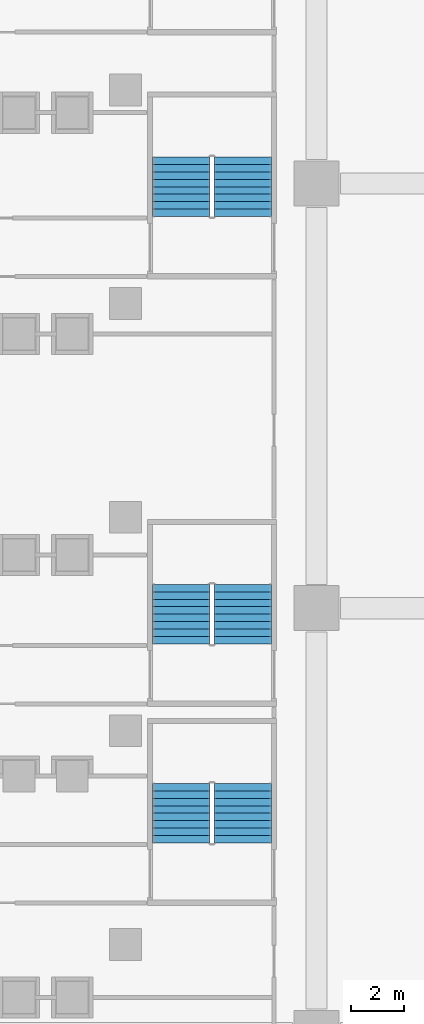
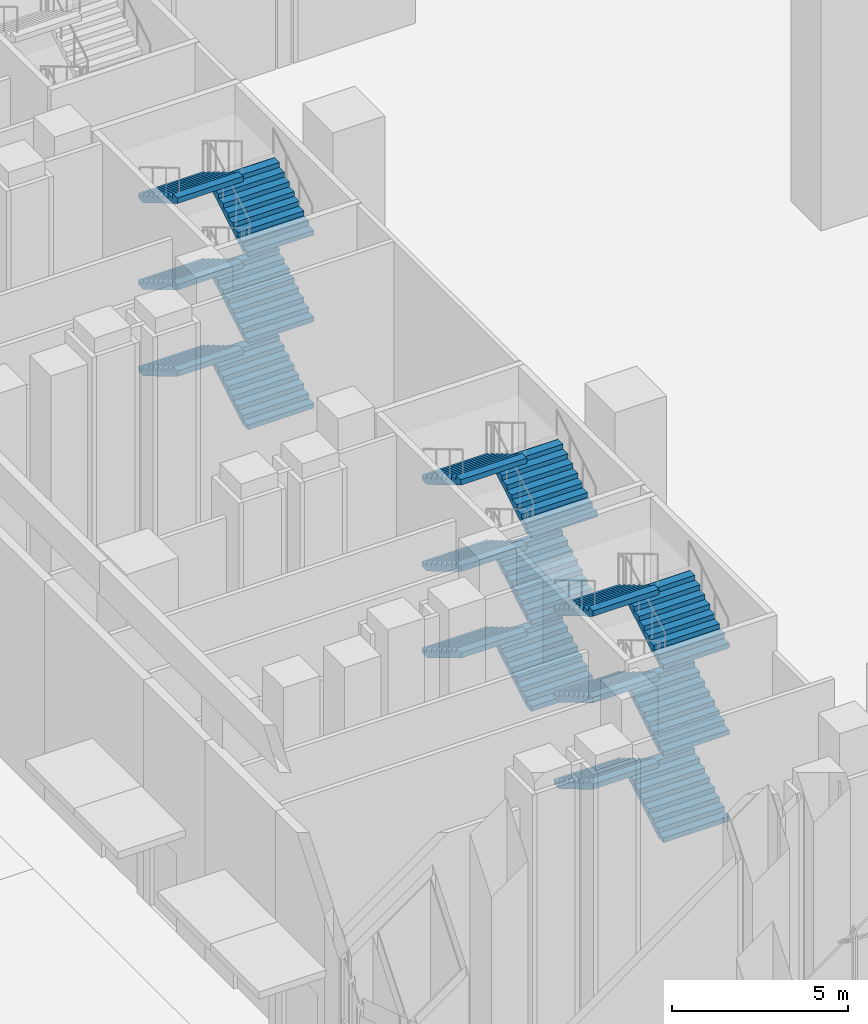
# One storey, part 30 of 51: 18 stair flights, 3 elements without a shape of their own.
"""IFC4 building model written with IfcOpenShell, lengths in metres."""

from ifc_helpers import new_model, si_unit, direction, frame, origin, place, context, subcontext, project, spatial, faceted_brep, source, transform, mapped, material, type_object, element, aggregate, save


model = new_model("IFC4")

# Units and contexts
model_context = context("Model", 3, precision=1e-05, world=origin(), true_north=direction((0.0, 1.0)))
body_context = subcontext(model_context, "Body", "Model", "MODEL_VIEW")
ifc_project = project(units=[si_unit("LENGTHUNIT", "METRE"), si_unit("AREAUNIT", "SQUARE_METRE"), si_unit("VOLUMEUNIT", "CUBIC_METRE"), si_unit("PLANEANGLEUNIT", "RADIAN"), si_unit("MASSUNIT", "GRAM", prefix="KILO")], contexts=[model_context])

# Site, building, storey
site_placement = place(None, origin())
site = spatial("IfcSite", under=ifc_project, at=site_placement, CompositionType="ELEMENT")
building_placement = place(site_placement, origin())
building = spatial("IfcBuilding", under=site, at=building_placement, Name="Calabash Gate Tower", CompositionType="ELEMENT")
storey_placement = place(building_placement, origin())
storey = spatial("IfcBuildingStorey", under=building, at=storey_placement, Name="L00", CompositionType="ELEMENT", Elevation=0.0)

# Stair, stair flights
ifc_material_1 = material(Name="Concrete C40/50", Category="concrete")
stair_type = type_object("IfcStairType", Name="Public stair 54 risers of 166.7 mm", PredefinedType="HALF_TURN_STAIR", material=ifc_material_1)
stair_1_placement = place(storey_placement, origin())
stair_1 = element("IfcStair", 1, at=stair_1_placement, inside=storey, type_object=stair_type, Name="L00 Public Stair PS1", PredefinedType="HALF_TURN_STAIR")
ifc_material_2 = material(Name="Concrete C40/50", Category="concrete")
stair_flight_type = type_object("IfcStairFlightType", Name="Exit stair flight SFL", PredefinedType="STRAIGHT", material=ifc_material_2)
shared_shape = source(origin(), body_context, "Body", "Brep", [
    faceted_brep([(-0.0009765625, -1.080078125, 0.0), (0.292236328125, -1.080078125, 0.0), (2.23291015625, -1.080078125, 1.15869140625), (-0.0009765625, 1.080078125, 0.0), (2.23291015625, 1.080078125, 1.15869140625), (0.292236328125, 1.080078125, 0.0), (2.23291015625, -1.080078125, 1.34521484375), (2.23193359375, -1.080078125, 1.34521484375), (2.23193359375, 1.080078125, 1.34521484375), (2.23291015625, 1.080078125, 1.34521484375), (2.23193359375, -1.080078125, 1.333251953125), (2.23193359375, 1.080078125, 1.333251953125), (1.952880859375, -1.080078125, 1.333251953125), (1.952880859375, 1.080078125, 1.333251953125), (1.952880859375, -1.080078125, 1.166748046875), (1.952880859375, 1.080078125, 1.166748046875), (1.674072265625, -1.080078125, 1.166748046875), (1.674072265625, 1.080078125, 1.166748046875), (1.674072265625, -1.080078125, 1.0), (1.674072265625, 1.080078125, 1.0), (1.39501953125, -1.080078125, 1.0), (1.39501953125, -1.080078125, 0.833251953125), (1.39501953125, 1.080078125, 0.833251953125), (1.39501953125, 1.080078125, 1.0), (1.115966796875, -1.080078125, 0.833251953125), (1.115966796875, -1.080078125, 0.666748046875), (1.115966796875, 1.080078125, 0.666748046875), (1.115966796875, 1.080078125, 0.833251953125), (0.8369140625, -1.080078125, 0.666748046875), (0.8369140625, -1.080078125, 0.5), (0.8369140625, 1.080078125, 0.5), (0.8369140625, 1.080078125, 0.666748046875), (0.55810546875, -1.080078125, 0.5), (0.55810546875, -1.080078125, 0.333251953125), (0.55810546875, 1.080078125, 0.333251953125), (0.55810546875, 1.080078125, 0.5), (0.279052734375, -1.080078125, 0.333251953125), (0.279052734375, -1.080078125, 0.166748046875), (0.279052734375, 1.080078125, 0.166748046875), (0.279052734375, 1.080078125, 0.333251953125), (-0.0009765625, -1.080078125, 0.166748046875), (-0.0009765625, 1.080078125, 0.166748046875), (0.292236328125, -0.431884765625, 0.0), (2.23291015625, -0.431884765625, 1.15869140625), (0.292236328125, -0.345703125, 0.0), (2.23291015625, -0.345703125, 1.15869140625), (0.292236328125, -0.25927734375, 0.0), (2.23291015625, -0.25927734375, 1.15869140625), (0.292236328125, -0.1728515625, 0.0), (2.23291015625, -0.1728515625, 1.15869140625), (0.292236328125, -0.08642578125, 0.0), (2.23291015625, -0.08642578125, 1.15869140625), (0.292236328125, 0.0, 0.0), (2.23291015625, 0.0, 1.15869140625), (0.292236328125, 0.08642578125, 0.0), (2.23291015625, 0.08642578125, 1.15869140625), (0.292236328125, 0.1728515625, 0.0), (2.23291015625, 0.1728515625, 1.15869140625), (0.292236328125, 0.25927734375, 0.0), (2.23291015625, 0.25927734375, 1.15869140625), (0.292236328125, 0.345703125, 0.0), (2.23291015625, 0.345703125, 1.15869140625), (0.292236328125, 0.431884765625, 0.0), (2.23291015625, 0.431884765625, 1.15869140625), (2.23291015625, -0.431884765625, 1.34521484375), (2.23291015625, -0.345703125, 1.34521484375), (2.23291015625, -0.25927734375, 1.34521484375), (2.23291015625, -0.1728515625, 1.34521484375), (2.23291015625, -0.08642578125, 1.34521484375), (2.23291015625, 0.0, 1.34521484375), (2.23291015625, 0.08642578125, 1.34521484375), (2.23291015625, 0.1728515625, 1.34521484375), (2.23291015625, 0.25927734375, 1.34521484375), (2.23291015625, 0.345703125, 1.34521484375), (2.23291015625, 0.431884765625, 1.34521484375), (2.23193359375, -0.431884765625, 1.34521484375), (2.23193359375, -0.345703125, 1.34521484375), (2.23193359375, -0.25927734375, 1.34521484375), (2.23193359375, -0.1728515625, 1.34521484375), (2.23193359375, -0.08642578125, 1.34521484375), (2.23193359375, 0.0, 1.34521484375), (2.23193359375, 0.08642578125, 1.34521484375), (2.23193359375, 0.1728515625, 1.34521484375), (2.23193359375, 0.25927734375, 1.34521484375), (2.23193359375, 0.345703125, 1.34521484375), (2.23193359375, 0.431884765625, 1.34521484375), (2.23193359375, -0.431884765625, 1.333251953125), (2.23193359375, -0.345703125, 1.333251953125), (2.23193359375, -0.25927734375, 1.333251953125), (2.23193359375, -0.1728515625, 1.333251953125), (2.23193359375, -0.08642578125, 1.333251953125), (2.23193359375, 0.0, 1.333251953125), (2.23193359375, 0.08642578125, 1.333251953125), (2.23193359375, 0.1728515625, 1.333251953125), (2.23193359375, 0.25927734375, 1.333251953125), (2.23193359375, 0.345703125, 1.333251953125), (2.23193359375, 0.431884765625, 1.333251953125), (1.952880859375, -0.431884765625, 1.333251953125), (1.952880859375, -0.345703125, 1.333251953125), (1.952880859375, -0.25927734375, 1.333251953125), (1.952880859375, -0.1728515625, 1.333251953125), (1.952880859375, -0.08642578125, 1.333251953125), (1.952880859375, 0.0, 1.333251953125), (1.952880859375, 0.08642578125, 1.333251953125), (1.952880859375, 0.1728515625, 1.333251953125), (1.952880859375, 0.25927734375, 1.333251953125), (1.952880859375, 0.345703125, 1.333251953125), (1.952880859375, 0.431884765625, 1.333251953125), (1.952880859375, -0.431884765625, 1.166748046875), (1.952880859375, -0.345703125, 1.166748046875), (1.952880859375, -0.25927734375, 1.166748046875), (1.952880859375, -0.1728515625, 1.166748046875), (1.952880859375, -0.08642578125, 1.166748046875), (1.952880859375, 0.0, 1.166748046875), (1.952880859375, 0.08642578125, 1.166748046875), (1.952880859375, 0.1728515625, 1.166748046875), (1.952880859375, 0.25927734375, 1.166748046875), (1.952880859375, 0.345703125, 1.166748046875), (1.952880859375, 0.431884765625, 1.166748046875), (1.674072265625, -0.431884765625, 1.166748046875), (1.674072265625, -0.345703125, 1.166748046875), (1.674072265625, -0.25927734375, 1.166748046875), (1.674072265625, -0.1728515625, 1.166748046875), (1.674072265625, -0.08642578125, 1.166748046875), (1.674072265625, 0.0, 1.166748046875), (1.674072265625, 0.08642578125, 1.166748046875), (1.674072265625, 0.1728515625, 1.166748046875), (1.674072265625, 0.25927734375, 1.166748046875), (1.674072265625, 0.345703125, 1.166748046875), (1.674072265625, 0.431884765625, 1.166748046875), (1.674072265625, -0.431884765625, 1.0), (1.674072265625, -0.345703125, 1.0), (1.674072265625, -0.25927734375, 1.0), (1.674072265625, -0.1728515625, 1.0), (1.674072265625, -0.08642578125, 1.0), (1.674072265625, 0.0, 1.0), (1.674072265625, 0.08642578125, 1.0), (1.674072265625, 0.1728515625, 1.0), (1.674072265625, 0.25927734375, 1.0), (1.674072265625, 0.345703125, 1.0), (1.674072265625, 0.431884765625, 1.0), (1.39501953125, -0.431884765625, 1.0), (1.39501953125, -0.345703125, 1.0), (1.39501953125, -0.25927734375, 1.0), (1.39501953125, -0.1728515625, 1.0), (1.39501953125, -0.08642578125, 1.0), (1.39501953125, 0.0, 1.0), (1.39501953125, 0.08642578125, 1.0), (1.39501953125, 0.1728515625, 1.0), (1.39501953125, 0.25927734375, 1.0), (1.39501953125, 0.345703125, 1.0), (1.39501953125, 0.431884765625, 1.0), (1.39501953125, -0.431884765625, 0.833251953125), (1.39501953125, -0.345703125, 0.833251953125), (1.39501953125, -0.25927734375, 0.833251953125), (1.39501953125, -0.1728515625, 0.833251953125), (1.39501953125, -0.08642578125, 0.833251953125), (1.39501953125, 0.0, 0.833251953125), (1.39501953125, 0.08642578125, 0.833251953125), (1.39501953125, 0.1728515625, 0.833251953125), (1.39501953125, 0.25927734375, 0.833251953125), (1.39501953125, 0.345703125, 0.833251953125), (1.39501953125, 0.431884765625, 0.833251953125), (1.115966796875, -0.431884765625, 0.833251953125), (1.115966796875, -0.345703125, 0.833251953125), (1.115966796875, -0.25927734375, 0.833251953125), (1.115966796875, -0.1728515625, 0.833251953125), (1.115966796875, -0.08642578125, 0.833251953125), (1.115966796875, 0.0, 0.833251953125), (1.115966796875, 0.08642578125, 0.833251953125), (1.115966796875, 0.1728515625, 0.833251953125), (1.115966796875, 0.25927734375, 0.833251953125), (1.115966796875, 0.345703125, 0.833251953125), (1.115966796875, 0.431884765625, 0.833251953125), (1.115966796875, -0.431884765625, 0.666748046875), (1.115966796875, -0.345703125, 0.666748046875), (1.115966796875, -0.25927734375, 0.666748046875), (1.115966796875, -0.1728515625, 0.666748046875), (1.115966796875, -0.08642578125, 0.666748046875), (1.115966796875, 0.0, 0.666748046875), (1.115966796875, 0.08642578125, 0.666748046875), (1.115966796875, 0.1728515625, 0.666748046875), (1.115966796875, 0.25927734375, 0.666748046875), (1.115966796875, 0.345703125, 0.666748046875), (1.115966796875, 0.431884765625, 0.666748046875), (0.8369140625, -0.431884765625, 0.666748046875), (0.8369140625, -0.345703125, 0.666748046875), (0.8369140625, -0.25927734375, 0.666748046875), (0.8369140625, -0.1728515625, 0.666748046875), (0.8369140625, -0.08642578125, 0.666748046875), (0.8369140625, 0.0, 0.666748046875), (0.8369140625, 0.08642578125, 0.666748046875), (0.8369140625, 0.1728515625, 0.666748046875), (0.8369140625, 0.25927734375, 0.666748046875), (0.8369140625, 0.345703125, 0.666748046875), (0.8369140625, 0.431884765625, 0.666748046875), (0.8369140625, -0.431884765625, 0.5), (0.8369140625, -0.345703125, 0.5), (0.8369140625, -0.25927734375, 0.5), (0.8369140625, -0.1728515625, 0.5), (0.8369140625, -0.08642578125, 0.5), (0.8369140625, 0.0, 0.5), (0.8369140625, 0.08642578125, 0.5), (0.8369140625, 0.1728515625, 0.5), (0.8369140625, 0.25927734375, 0.5), (0.8369140625, 0.345703125, 0.5), (0.8369140625, 0.431884765625, 0.5), (0.55810546875, -0.431884765625, 0.5), (0.55810546875, -0.345703125, 0.5), (0.55810546875, -0.25927734375, 0.5), (0.55810546875, -0.1728515625, 0.5), (0.55810546875, -0.08642578125, 0.5), (0.55810546875, 0.0, 0.5), (0.55810546875, 0.08642578125, 0.5), (0.55810546875, 0.1728515625, 0.5), (0.55810546875, 0.25927734375, 0.5), (0.55810546875, 0.345703125, 0.5), (0.55810546875, 0.431884765625, 0.5), (0.55810546875, -0.431884765625, 0.333251953125), (0.55810546875, -0.345703125, 0.333251953125), (0.55810546875, -0.25927734375, 0.333251953125), (0.55810546875, -0.1728515625, 0.333251953125), (0.55810546875, -0.08642578125, 0.333251953125), (0.55810546875, 0.0, 0.333251953125), (0.55810546875, 0.08642578125, 0.333251953125), (0.55810546875, 0.1728515625, 0.333251953125), (0.55810546875, 0.25927734375, 0.333251953125), (0.55810546875, 0.345703125, 0.333251953125), (0.55810546875, 0.431884765625, 0.333251953125), (0.279052734375, -0.431884765625, 0.333251953125), (0.279052734375, -0.345703125, 0.333251953125), (0.279052734375, -0.25927734375, 0.333251953125), (0.279052734375, -0.1728515625, 0.333251953125), (0.279052734375, -0.08642578125, 0.333251953125), (0.279052734375, 0.0, 0.333251953125), (0.279052734375, 0.08642578125, 0.333251953125), (0.279052734375, 0.1728515625, 0.333251953125), (0.279052734375, 0.25927734375, 0.333251953125), (0.279052734375, 0.345703125, 0.333251953125), (0.279052734375, 0.431884765625, 0.333251953125), (0.279052734375, -0.431884765625, 0.166748046875), (0.279052734375, -0.345703125, 0.166748046875), (0.279052734375, -0.25927734375, 0.166748046875), (0.279052734375, -0.1728515625, 0.166748046875), (0.279052734375, -0.08642578125, 0.166748046875), (0.279052734375, 0.0, 0.166748046875), (0.279052734375, 0.08642578125, 0.166748046875), (0.279052734375, 0.1728515625, 0.166748046875), (0.279052734375, 0.25927734375, 0.166748046875), (0.279052734375, 0.345703125, 0.166748046875), (0.279052734375, 0.431884765625, 0.166748046875), (-0.0009765625, -0.431884765625, 0.166748046875), (-0.0009765625, -0.345703125, 0.166748046875), (-0.0009765625, -0.25927734375, 0.166748046875), (-0.0009765625, -0.1728515625, 0.166748046875), (-0.0009765625, -0.08642578125, 0.166748046875), (-0.0009765625, 0.0, 0.166748046875), (-0.0009765625, 0.08642578125, 0.166748046875), (-0.0009765625, 0.1728515625, 0.166748046875), (-0.0009765625, 0.25927734375, 0.166748046875), (-0.0009765625, 0.345703125, 0.166748046875), (-0.0009765625, 0.431884765625, 0.166748046875), (-0.0009765625, -0.431884765625, 0.0), (-0.0009765625, -0.345703125, 0.0), (-0.0009765625, -0.25927734375, 0.0), (-0.0009765625, -0.1728515625, 0.0), (-0.0009765625, -0.08642578125, 0.0), (-0.0009765625, 0.0, 0.0), (-0.0009765625, 0.08642578125, 0.0), (-0.0009765625, 0.1728515625, 0.0), (-0.0009765625, 0.25927734375, 0.0), (-0.0009765625, 0.345703125, 0.0), (-0.0009765625, 0.431884765625, 0.0)], [[[0, 1, 2]], [[3, 4, 5]], [[2, 6, 7]], [[4, 8, 9]], [[2, 7, 10]], [[4, 11, 8]], [[2, 10, 12]], [[4, 13, 11]], [[2, 12, 14]], [[4, 15, 13]], [[2, 14, 16]], [[4, 17, 15]], [[2, 16, 18]], [[4, 19, 17]], [[18, 20, 21]], [[19, 22, 23]], [[2, 18, 21]], [[4, 22, 19]], [[21, 24, 25]], [[22, 26, 27]], [[2, 21, 25]], [[4, 26, 22]], [[25, 28, 29]], [[26, 30, 31]], [[2, 25, 29]], [[4, 30, 26]], [[29, 32, 33]], [[30, 34, 35]], [[2, 29, 33]], [[4, 34, 30]], [[33, 36, 37]], [[34, 38, 39]], [[2, 33, 37]], [[4, 38, 34]], [[0, 2, 37]], [[3, 38, 4]], [[37, 40, 0]], [[38, 3, 41]], [[1, 42, 2]], [[42, 43, 2]], [[42, 44, 43]], [[44, 45, 43]], [[44, 46, 45]], [[46, 47, 45]], [[46, 48, 47]], [[48, 49, 47]], [[48, 50, 49]], [[50, 51, 49]], [[50, 52, 51]], [[52, 53, 51]], [[52, 54, 55]], [[52, 55, 53]], [[54, 56, 57]], [[54, 57, 55]], [[56, 58, 59]], [[56, 59, 57]], [[58, 60, 61]], [[58, 61, 59]], [[60, 62, 63]], [[60, 63, 61]], [[62, 5, 4]], [[62, 4, 63]], [[2, 43, 6]], [[43, 64, 6]], [[43, 45, 64]], [[45, 65, 64]], [[45, 47, 65]], [[47, 66, 65]], [[47, 49, 66]], [[49, 67, 66]], [[49, 51, 67]], [[51, 68, 67]], [[51, 53, 68]], [[53, 69, 68]], [[53, 55, 70]], [[53, 70, 69]], [[55, 57, 71]], [[55, 71, 70]], [[57, 59, 72]], [[57, 72, 71]], [[59, 61, 73]], [[59, 73, 72]], [[61, 63, 74]], [[61, 74, 73]], [[63, 4, 9]], [[63, 9, 74]], [[6, 64, 7]], [[64, 75, 7]], [[64, 65, 75]], [[65, 76, 75]], [[65, 66, 76]], [[66, 77, 76]], [[66, 67, 77]], [[67, 78, 77]], [[67, 68, 78]], [[68, 79, 78]], [[68, 69, 79]], [[69, 80, 79]], [[69, 70, 81]], [[69, 81, 80]], [[70, 71, 82]], [[70, 82, 81]], [[71, 72, 83]], [[71, 83, 82]], [[72, 73, 84]], [[72, 84, 83]], [[73, 74, 85]], [[73, 85, 84]], [[74, 9, 8]], [[74, 8, 85]], [[7, 75, 10]], [[75, 86, 10]], [[75, 76, 86]], [[76, 87, 86]], [[76, 77, 87]], [[77, 88, 87]], [[77, 78, 88]], [[78, 89, 88]], [[78, 79, 89]], [[79, 90, 89]], [[79, 80, 90]], [[80, 91, 90]], [[80, 81, 92]], [[80, 92, 91]], [[81, 82, 93]], [[81, 93, 92]], [[82, 83, 94]], [[82, 94, 93]], [[83, 84, 95]], [[83, 95, 94]], [[84, 85, 96]], [[84, 96, 95]], [[85, 8, 11]], [[85, 11, 96]], [[10, 86, 12]], [[86, 97, 12]], [[86, 87, 97]], [[87, 98, 97]], [[87, 88, 98]], [[88, 99, 98]], [[88, 89, 99]], [[89, 100, 99]], [[89, 90, 100]], [[90, 101, 100]], [[90, 91, 101]], [[91, 102, 101]], [[91, 92, 103]], [[91, 103, 102]], [[92, 93, 104]], [[92, 104, 103]], [[93, 94, 105]], [[93, 105, 104]], [[94, 95, 106]], [[94, 106, 105]], [[95, 96, 107]], [[95, 107, 106]], [[96, 11, 13]], [[96, 13, 107]], [[12, 97, 14]], [[97, 108, 14]], [[97, 98, 108]], [[98, 109, 108]], [[98, 99, 109]], [[99, 110, 109]], [[99, 100, 110]], [[100, 111, 110]], [[100, 101, 111]], [[101, 112, 111]], [[101, 102, 112]], [[102, 113, 112]], [[102, 103, 114]], [[102, 114, 113]], [[103, 104, 115]], [[103, 115, 114]], [[104, 105, 116]], [[104, 116, 115]], [[105, 106, 117]], [[105, 117, 116]], [[106, 107, 118]], [[106, 118, 117]], [[107, 13, 15]], [[107, 15, 118]], [[14, 108, 16]], [[108, 119, 16]], [[108, 109, 119]], [[109, 120, 119]], [[109, 110, 120]], [[110, 121, 120]], [[110, 111, 121]], [[111, 122, 121]], [[111, 112, 122]], [[112, 123, 122]], [[112, 113, 123]], [[113, 124, 123]], [[113, 114, 125]], [[113, 125, 124]], [[114, 115, 126]], [[114, 126, 125]], [[115, 116, 127]], [[115, 127, 126]], [[116, 117, 128]], [[116, 128, 127]], [[117, 118, 129]], [[117, 129, 128]], [[118, 15, 17]], [[118, 17, 129]], [[16, 119, 18]], [[119, 130, 18]], [[119, 120, 130]], [[120, 131, 130]], [[120, 121, 131]], [[121, 132, 131]], [[121, 122, 132]], [[122, 133, 132]], [[122, 123, 133]], [[123, 134, 133]], [[123, 124, 134]], [[124, 135, 134]], [[124, 125, 136]], [[124, 136, 135]], [[125, 126, 137]], [[125, 137, 136]], [[126, 127, 138]], [[126, 138, 137]], [[127, 128, 139]], [[127, 139, 138]], [[128, 129, 140]], [[128, 140, 139]], [[129, 17, 19]], [[129, 19, 140]], [[18, 130, 20]], [[130, 141, 20]], [[130, 131, 141]], [[131, 142, 141]], [[131, 132, 142]], [[132, 143, 142]], [[132, 133, 143]], [[133, 144, 143]], [[133, 134, 144]], [[134, 145, 144]], [[134, 135, 145]], [[135, 146, 145]], [[135, 136, 147]], [[135, 147, 146]], [[136, 137, 148]], [[136, 148, 147]], [[137, 138, 149]], [[137, 149, 148]], [[138, 139, 150]], [[138, 150, 149]], [[139, 140, 151]], [[139, 151, 150]], [[140, 19, 23]], [[140, 23, 151]], [[20, 141, 21]], [[141, 152, 21]], [[141, 142, 152]], [[142, 153, 152]], [[142, 143, 153]], [[143, 154, 153]], [[143, 144, 154]], [[144, 155, 154]], [[144, 145, 155]], [[145, 156, 155]], [[145, 146, 156]], [[146, 157, 156]], [[146, 147, 158]], [[146, 158, 157]], [[147, 148, 159]], [[147, 159, 158]], [[148, 149, 160]], [[148, 160, 159]], [[149, 150, 161]], [[149, 161, 160]], [[150, 151, 162]], [[150, 162, 161]], [[151, 23, 22]], [[151, 22, 162]], [[21, 152, 24]], [[152, 163, 24]], [[152, 153, 163]], [[153, 164, 163]], [[153, 154, 164]], [[154, 165, 164]], [[154, 155, 165]], [[155, 166, 165]], [[155, 156, 166]], [[156, 167, 166]], [[156, 157, 167]], [[157, 168, 167]], [[157, 158, 169]], [[157, 169, 168]], [[158, 159, 170]], [[158, 170, 169]], [[159, 160, 171]], [[159, 171, 170]], [[160, 161, 172]], [[160, 172, 171]], [[161, 162, 173]], [[161, 173, 172]], [[162, 22, 27]], [[162, 27, 173]], [[24, 163, 25]], [[163, 174, 25]], [[163, 164, 174]], [[164, 175, 174]], [[164, 165, 175]], [[165, 176, 175]], [[165, 166, 176]], [[166, 177, 176]], [[166, 167, 177]], [[167, 178, 177]], [[167, 168, 178]], [[168, 179, 178]], [[168, 169, 180]], [[168, 180, 179]], [[169, 170, 181]], [[169, 181, 180]], [[170, 171, 182]], [[170, 182, 181]], [[171, 172, 183]], [[171, 183, 182]], [[172, 173, 184]], [[172, 184, 183]], [[173, 27, 26]], [[173, 26, 184]], [[25, 174, 28]], [[174, 185, 28]], [[174, 175, 185]], [[175, 186, 185]], [[175, 176, 186]], [[176, 187, 186]], [[176, 177, 187]], [[177, 188, 187]], [[177, 178, 188]], [[178, 189, 188]], [[178, 179, 189]], [[179, 190, 189]], [[179, 180, 191]], [[179, 191, 190]], [[180, 181, 192]], [[180, 192, 191]], [[181, 182, 193]], [[181, 193, 192]], [[182, 183, 194]], [[182, 194, 193]], [[183, 184, 195]], [[183, 195, 194]], [[184, 26, 31]], [[184, 31, 195]], [[28, 185, 29]], [[185, 196, 29]], [[185, 186, 196]], [[186, 197, 196]], [[186, 187, 197]], [[187, 198, 197]], [[187, 188, 198]], [[188, 199, 198]], [[188, 189, 199]], [[189, 200, 199]], [[189, 190, 200]], [[190, 201, 200]], [[190, 191, 202]], [[190, 202, 201]], [[191, 192, 203]], [[191, 203, 202]], [[192, 193, 204]], [[192, 204, 203]], [[193, 194, 205]], [[193, 205, 204]], [[194, 195, 206]], [[194, 206, 205]], [[195, 31, 30]], [[195, 30, 206]], [[29, 196, 32]], [[196, 207, 32]], [[196, 197, 207]], [[197, 208, 207]], [[197, 198, 208]], [[198, 209, 208]], [[198, 199, 209]], [[199, 210, 209]], [[199, 200, 210]], [[200, 211, 210]], [[200, 201, 211]], [[201, 212, 211]], [[201, 202, 213]], [[201, 213, 212]], [[202, 203, 214]], [[202, 214, 213]], [[203, 204, 215]], [[203, 215, 214]], [[204, 205, 216]], [[204, 216, 215]], [[205, 206, 217]], [[205, 217, 216]], [[206, 30, 35]], [[206, 35, 217]], [[32, 207, 33]], [[207, 218, 33]], [[207, 208, 218]], [[208, 219, 218]], [[208, 209, 219]], [[209, 220, 219]], [[209, 210, 220]], [[210, 221, 220]], [[210, 211, 221]], [[211, 222, 221]], [[211, 212, 222]], [[212, 223, 222]], [[212, 213, 224]], [[212, 224, 223]], [[213, 214, 225]], [[213, 225, 224]], [[214, 215, 226]], [[214, 226, 225]], [[215, 216, 227]], [[215, 227, 226]], [[216, 217, 228]], [[216, 228, 227]], [[217, 35, 34]], [[217, 34, 228]], [[33, 218, 36]], [[218, 229, 36]], [[218, 219, 229]], [[219, 230, 229]], [[219, 220, 230]], [[220, 231, 230]], [[220, 221, 231]], [[221, 232, 231]], [[221, 222, 232]], [[222, 233, 232]], [[222, 223, 233]], [[223, 234, 233]], [[223, 224, 235]], [[223, 235, 234]], [[224, 225, 236]], [[224, 236, 235]], [[225, 226, 237]], [[225, 237, 236]], [[226, 227, 238]], [[226, 238, 237]], [[227, 228, 239]], [[227, 239, 238]], [[228, 34, 39]], [[228, 39, 239]], [[36, 229, 37]], [[229, 240, 37]], [[229, 230, 240]], [[230, 241, 240]], [[230, 231, 241]], [[231, 242, 241]], [[231, 232, 242]], [[232, 243, 242]], [[232, 233, 243]], [[233, 244, 243]], [[233, 234, 244]], [[234, 245, 244]], [[234, 235, 246]], [[234, 246, 245]], [[235, 236, 247]], [[235, 247, 246]], [[236, 237, 248]], [[236, 248, 247]], [[237, 238, 249]], [[237, 249, 248]], [[238, 239, 250]], [[238, 250, 249]], [[239, 39, 38]], [[239, 38, 250]], [[37, 240, 40]], [[240, 251, 40]], [[240, 241, 251]], [[241, 252, 251]], [[241, 242, 252]], [[242, 253, 252]], [[242, 243, 253]], [[243, 254, 253]], [[243, 244, 254]], [[244, 255, 254]], [[244, 245, 255]], [[245, 256, 255]], [[245, 246, 257]], [[245, 257, 256]], [[246, 247, 258]], [[246, 258, 257]], [[247, 248, 259]], [[247, 259, 258]], [[248, 249, 260]], [[248, 260, 259]], [[249, 250, 261]], [[249, 261, 260]], [[250, 38, 41]], [[250, 41, 261]], [[40, 251, 0]], [[251, 262, 0]], [[251, 252, 262]], [[252, 263, 262]], [[252, 253, 263]], [[253, 264, 263]], [[253, 254, 264]], [[254, 265, 264]], [[254, 255, 265]], [[255, 266, 265]], [[255, 256, 266]], [[256, 267, 266]], [[256, 257, 268]], [[256, 268, 267]], [[257, 258, 269]], [[257, 269, 268]], [[258, 259, 270]], [[258, 270, 269]], [[259, 260, 271]], [[259, 271, 270]], [[260, 261, 272]], [[260, 272, 271]], [[261, 41, 3]], [[261, 3, 272]], [[0, 262, 1]], [[262, 42, 1]], [[262, 263, 42]], [[263, 44, 42]], [[263, 264, 44]], [[264, 46, 44]], [[264, 265, 46]], [[265, 48, 46]], [[265, 266, 48]], [[266, 50, 48]], [[266, 267, 50]], [[267, 52, 50]], [[267, 268, 54]], [[267, 54, 52]], [[268, 269, 56]], [[268, 56, 54]], [[269, 270, 58]], [[269, 58, 56]], [[270, 271, 60]], [[270, 60, 58]], [[271, 272, 62]], [[271, 62, 60]], [[272, 3, 5]], [[272, 5, 62]]]),
])
stair_flight_1_placement = place(storey_placement, frame((-34.780029296875, -32.840087890625, 0.0), z_axis=(0.0, 0.0, 1.0), x_axis=(0.0, 1.0, 0.0)))
stair_flight_1 = element("IfcStairFlight", 2, at=stair_flight_1_placement, type_object=stair_flight_type, Name="PS1 flight 1", NumberOfRisers=9, NumberOfTreads=8, PredefinedType="STRAIGHT", RiserHeight=0.166666667, TreadLength=0.279, context=body_context, shape_type="MappedRepresentation", body=[
    mapped(shared_shape, transform((0.0, 0.0, 0.0), scale=1.0)),
])
stair_flight_2_placement = place(storey_placement, frame((-37.090087890625, -30.60791015625, 1.5), z_axis=(0.0, 0.0, 1.0), x_axis=(0.0, -1.0, 0.0)))
stair_flight_2 = element("IfcStairFlight", 3, at=stair_flight_2_placement, type_object=stair_flight_type, Name="PS1 flight 2", NumberOfRisers=9, NumberOfTreads=8, PredefinedType="STRAIGHT", RiserHeight=0.166666667, TreadLength=0.279, context=body_context, shape_type="MappedRepresentation", body=[
    mapped(shared_shape, transform((0.0, 0.0, 0.0), scale=1.0)),
])
stair_flight_3_placement = place(storey_placement, frame((-34.780029296875, -32.840087890625, 3.0), z_axis=(0.0, 0.0, 1.0), x_axis=(0.0, 1.0, 0.0)))
stair_flight_3 = element("IfcStairFlight", 4, at=stair_flight_3_placement, type_object=stair_flight_type, Name="PS1 flight 3", NumberOfRisers=9, NumberOfTreads=8, PredefinedType="STRAIGHT", RiserHeight=0.166666667, TreadLength=0.279, context=body_context, shape_type="MappedRepresentation", body=[
    mapped(shared_shape, transform((0.0, 0.0, 0.0), scale=1.0)),
])
stair_flight_4_placement = place(storey_placement, frame((-37.090087890625, -30.60791015625, 4.5), z_axis=(0.0, 0.0, 1.0), x_axis=(0.0, -1.0, 0.0)))
stair_flight_4 = element("IfcStairFlight", 5, at=stair_flight_4_placement, type_object=stair_flight_type, Name="PS1 flight 4", NumberOfRisers=9, NumberOfTreads=8, PredefinedType="STRAIGHT", RiserHeight=0.166666667, TreadLength=0.279, context=body_context, shape_type="MappedRepresentation", body=[
    mapped(shared_shape, transform((0.0, 0.0, 0.0), scale=1.0)),
])
stair_flight_5_placement = place(storey_placement, frame((-34.780029296875, -32.840087890625, 6.0), z_axis=(0.0, 0.0, 1.0), x_axis=(0.0, 1.0, 0.0)))
stair_flight_5 = element("IfcStairFlight", 6, at=stair_flight_5_placement, type_object=stair_flight_type, Name="PS1 flight 5", NumberOfRisers=9, NumberOfTreads=8, PredefinedType="STRAIGHT", RiserHeight=0.166666667, TreadLength=0.279, context=body_context, shape_type="MappedRepresentation", body=[
    mapped(shared_shape, transform((0.0, 0.0, 0.0), scale=1.0)),
])
stair_flight_6_placement = place(storey_placement, frame((-37.090087890625, -30.60791015625, 7.5), z_axis=(0.0, 0.0, 1.0), x_axis=(0.0, -1.0, 0.0)))
stair_flight_6 = element("IfcStairFlight", 7, at=stair_flight_6_placement, type_object=stair_flight_type, Name="PS1 flight 6", NumberOfRisers=9, NumberOfTreads=8, PredefinedType="STRAIGHT", RiserHeight=0.166666667, TreadLength=0.279, context=body_context, shape_type="MappedRepresentation", body=[
    mapped(shared_shape, transform((0.0, 0.0, 0.0), scale=1.0)),
])
aggregate(stair_1, [stair_flight_1, stair_flight_2, stair_flight_3, stair_flight_4, stair_flight_5, stair_flight_6])

stair_2_placement = place(storey_placement, origin())
stair_2 = element("IfcStair", 8, at=stair_2_placement, inside=storey, type_object=stair_type, Name="L00 Public Stair PS2", PredefinedType="HALF_TURN_STAIR")
stair_flight_7_placement = place(storey_placement, frame((-34.780029296875, -25.340087890625, 0.0), z_axis=(0.0, 0.0, 1.0), x_axis=(0.0, 1.0, 0.0)))
stair_flight_7 = element("IfcStairFlight", 9, at=stair_flight_7_placement, type_object=stair_flight_type, Name="PS2 flight 1", NumberOfRisers=9, NumberOfTreads=8, PredefinedType="STRAIGHT", RiserHeight=0.166666667, TreadLength=0.279, context=body_context, shape_type="MappedRepresentation", body=[
    mapped(shared_shape, transform((0.0, 0.0, 0.0), scale=1.0)),
])
stair_flight_8_placement = place(storey_placement, frame((-37.090087890625, -23.10791015625, 1.5), z_axis=(0.0, 0.0, 1.0), x_axis=(0.0, -1.0, 0.0)))
stair_flight_8 = element("IfcStairFlight", 10, at=stair_flight_8_placement, type_object=stair_flight_type, Name="PS2 flight 2", NumberOfRisers=9, NumberOfTreads=8, PredefinedType="STRAIGHT", RiserHeight=0.166666667, TreadLength=0.279, context=body_context, shape_type="MappedRepresentation", body=[
    mapped(shared_shape, transform((0.0, 0.0, 0.0), scale=1.0)),
])
stair_flight_9_placement = place(storey_placement, frame((-34.780029296875, -25.340087890625, 3.0), z_axis=(0.0, 0.0, 1.0), x_axis=(0.0, 1.0, 0.0)))
stair_flight_9 = element("IfcStairFlight", 11, at=stair_flight_9_placement, type_object=stair_flight_type, Name="PS2 flight 3", NumberOfRisers=9, NumberOfTreads=8, PredefinedType="STRAIGHT", RiserHeight=0.166666667, TreadLength=0.279, context=body_context, shape_type="MappedRepresentation", body=[
    mapped(shared_shape, transform((0.0, 0.0, 0.0), scale=1.0)),
])
stair_flight_10_placement = place(storey_placement, frame((-37.090087890625, -23.10791015625, 4.5), z_axis=(0.0, 0.0, 1.0), x_axis=(0.0, -1.0, 0.0)))
stair_flight_10 = element("IfcStairFlight", 12, at=stair_flight_10_placement, type_object=stair_flight_type, Name="PS2 flight 4", NumberOfRisers=9, NumberOfTreads=8, PredefinedType="STRAIGHT", RiserHeight=0.166666667, TreadLength=0.279, context=body_context, shape_type="MappedRepresentation", body=[
    mapped(shared_shape, transform((0.0, 0.0, 0.0), scale=1.0)),
])
stair_flight_11_placement = place(storey_placement, frame((-34.780029296875, -25.340087890625, 6.0), z_axis=(0.0, 0.0, 1.0), x_axis=(0.0, 1.0, 0.0)))
stair_flight_11 = element("IfcStairFlight", 13, at=stair_flight_11_placement, type_object=stair_flight_type, Name="PS2 flight 5", NumberOfRisers=9, NumberOfTreads=8, PredefinedType="STRAIGHT", RiserHeight=0.166666667, TreadLength=0.279, context=body_context, shape_type="MappedRepresentation", body=[
    mapped(shared_shape, transform((0.0, 0.0, 0.0), scale=1.0)),
])
stair_flight_12_placement = place(storey_placement, frame((-37.090087890625, -23.10791015625, 7.5), z_axis=(0.0, 0.0, 1.0), x_axis=(0.0, -1.0, 0.0)))
stair_flight_12 = element("IfcStairFlight", 14, at=stair_flight_12_placement, type_object=stair_flight_type, Name="PS2 flight 6", NumberOfRisers=9, NumberOfTreads=8, PredefinedType="STRAIGHT", RiserHeight=0.166666667, TreadLength=0.279, context=body_context, shape_type="MappedRepresentation", body=[
    mapped(shared_shape, transform((0.0, 0.0, 0.0), scale=1.0)),
])
aggregate(stair_2, [stair_flight_7, stair_flight_8, stair_flight_9, stair_flight_10, stair_flight_11, stair_flight_12])

stair_3_placement = place(storey_placement, origin())
stair_3 = element("IfcStair", 15, at=stair_3_placement, inside=storey, type_object=stair_type, Name="L00 Public Stair PS3", PredefinedType="HALF_TURN_STAIR")
stair_flight_13_placement = place(storey_placement, frame((-34.780029296875, -9.239990234375, 0.0), z_axis=(0.0, 0.0, 1.0), x_axis=(0.0, 1.0, 0.0)))
stair_flight_13 = element("IfcStairFlight", 16, at=stair_flight_13_placement, type_object=stair_flight_type, Name="PS3 flight 1", NumberOfRisers=9, NumberOfTreads=8, PredefinedType="STRAIGHT", RiserHeight=0.166666667, TreadLength=0.279, context=body_context, shape_type="MappedRepresentation", body=[
    mapped(shared_shape, transform((0.0, 0.0, 0.0), scale=1.0)),
])
stair_flight_14_placement = place(storey_placement, frame((-37.090087890625, -7.008056640625, 1.5), z_axis=(0.0, 0.0, 1.0), x_axis=(0.0, -1.0, 0.0)))
stair_flight_14 = element("IfcStairFlight", 17, at=stair_flight_14_placement, type_object=stair_flight_type, Name="PS3 flight 2", NumberOfRisers=9, NumberOfTreads=8, PredefinedType="STRAIGHT", RiserHeight=0.166666667, TreadLength=0.279, context=body_context, shape_type="MappedRepresentation", body=[
    mapped(shared_shape, transform((0.0, 0.0, 0.0), scale=1.0)),
])
stair_flight_15_placement = place(storey_placement, frame((-34.780029296875, -9.239990234375, 3.0), z_axis=(0.0, 0.0, 1.0), x_axis=(0.0, 1.0, 0.0)))
stair_flight_15 = element("IfcStairFlight", 18, at=stair_flight_15_placement, type_object=stair_flight_type, Name="PS3 flight 3", NumberOfRisers=9, NumberOfTreads=8, PredefinedType="STRAIGHT", RiserHeight=0.166666667, TreadLength=0.279, context=body_context, shape_type="MappedRepresentation", body=[
    mapped(shared_shape, transform((0.0, 0.0, 0.0), scale=1.0)),
])
stair_flight_16_placement = place(storey_placement, frame((-37.090087890625, -7.008056640625, 4.5), z_axis=(0.0, 0.0, 1.0), x_axis=(0.0, -1.0, 0.0)))
stair_flight_16 = element("IfcStairFlight", 19, at=stair_flight_16_placement, type_object=stair_flight_type, Name="PS3 flight 4", NumberOfRisers=9, NumberOfTreads=8, PredefinedType="STRAIGHT", RiserHeight=0.166666667, TreadLength=0.279, context=body_context, shape_type="MappedRepresentation", body=[
    mapped(shared_shape, transform((0.0, 0.0, 0.0), scale=1.0)),
])
stair_flight_17_placement = place(storey_placement, frame((-34.780029296875, -9.239990234375, 6.0), z_axis=(0.0, 0.0, 1.0), x_axis=(0.0, 1.0, 0.0)))
stair_flight_17 = element("IfcStairFlight", 20, at=stair_flight_17_placement, type_object=stair_flight_type, Name="PS3 flight 5", NumberOfRisers=9, NumberOfTreads=8, PredefinedType="STRAIGHT", RiserHeight=0.166666667, TreadLength=0.279, context=body_context, shape_type="MappedRepresentation", body=[
    mapped(shared_shape, transform((0.0, 0.0, 0.0), scale=1.0)),
])
stair_flight_18_placement = place(storey_placement, frame((-37.090087890625, -7.008056640625, 7.5), z_axis=(0.0, 0.0, 1.0), x_axis=(0.0, -1.0, 0.0)))
stair_flight_18 = element("IfcStairFlight", 21, at=stair_flight_18_placement, type_object=stair_flight_type, Name="PS3 flight 6", NumberOfRisers=9, NumberOfTreads=8, PredefinedType="STRAIGHT", RiserHeight=0.166666667, TreadLength=0.279, context=body_context, shape_type="MappedRepresentation", body=[
    mapped(shared_shape, transform((0.0, 0.0, 0.0), scale=1.0)),
])
aggregate(stair_3, [stair_flight_13, stair_flight_14, stair_flight_15, stair_flight_16, stair_flight_17, stair_flight_18])

save(model, "model.ifc")
